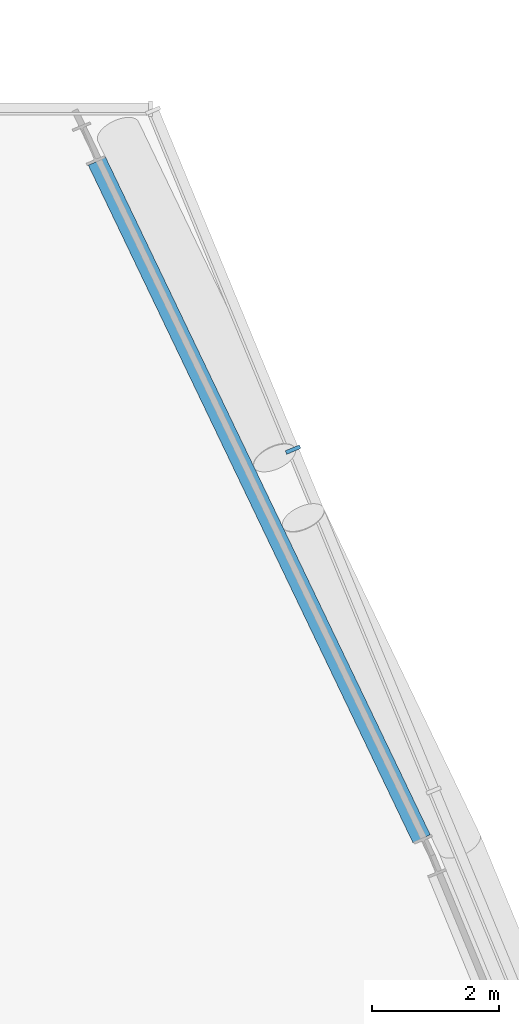
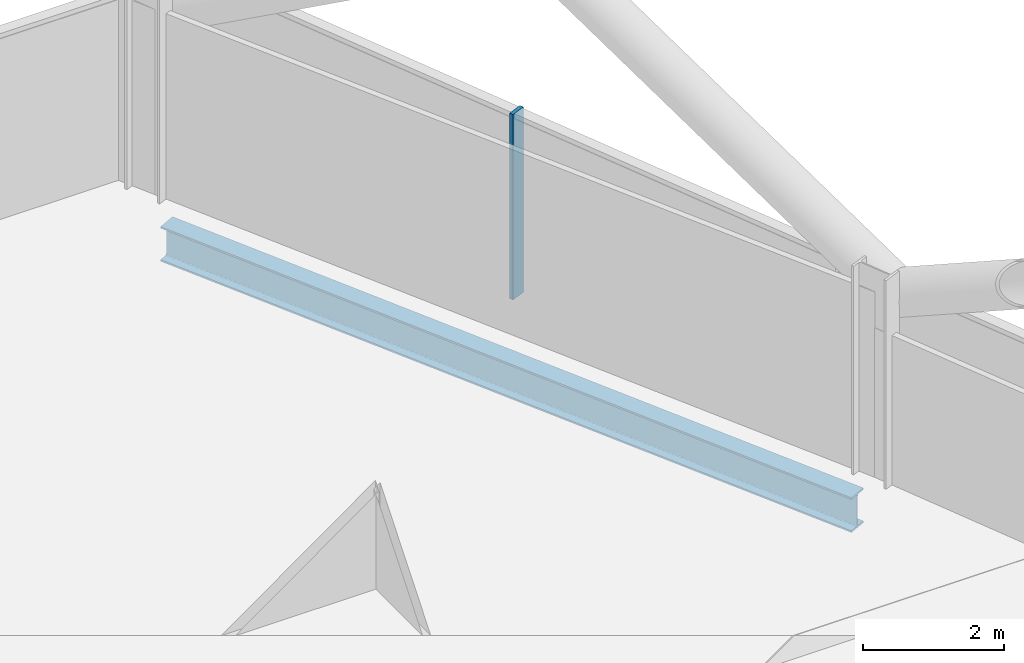
# One storey, part 12 of 26: 1 beam, 1 member, 1 element without a shape of its own.
"""IFC4 building model written with IfcOpenShell, lengths in metres."""

from ifc_helpers import new_model, si_unit, direction, frame, origin, origin_2d, place, context, subcontext, project, spatial, rectangle, i_section, extrude, material, material_profile, profile_set, type_object, element, aggregate, save


model = new_model("IFC4")

# Units and contexts
model_context = context("Model", 3, precision=1e-05, world=origin(), true_north=direction((0.0, 1.0)))
body_context = subcontext(model_context, "Body", "Model", "MODEL_VIEW")
ifc_project = project(units=[si_unit("LENGTHUNIT", "METRE"), si_unit("AREAUNIT", "SQUARE_METRE"), si_unit("VOLUMEUNIT", "CUBIC_METRE"), si_unit("PLANEANGLEUNIT", "RADIAN"), si_unit("MASSUNIT", "GRAM", prefix="KILO")], contexts=[model_context])

# Site, building, storey
site_placement = place(None, origin())
site = spatial("IfcSite", under=ifc_project, at=site_placement, CompositionType="ELEMENT")
building_placement = place(site_placement, origin())
building = spatial("IfcBuilding", under=site, at=building_placement, Name="Wharfspan Tower", CompositionType="ELEMENT")
storey_placement = place(building_placement, frame((0.0, 0.0, 169.899902)))
storey = spatial("IfcBuildingStorey", under=building, at=storey_placement, Name="L41", CompositionType="ELEMENT", Elevation=169.899902)

# Beam
ifc_material_1 = material(Name="Steel S355J2", Category="steel")
ifc_material_profile_1 = material_profile(ifc_material_1, i_section(OverallWidth=0.300049, OverallDepth=0.600098, WebThickness=0.015381, FlangeThickness=0.030029, FilletRadius=0.0271, at=origin_2d()))
ifc_profile_set_1 = profile_set([ifc_material_profile_1], Name="Steel S355J2")
beam_type = type_object("IfcBeamType", Name="Edge beam HEB 600", PredefinedType="SPANDREL", material=ifc_profile_set_1)
beam_placement = place(storey_placement, frame((73.721436, 30.495605, -0.699951), z_axis=(-0.432149, 0.901802, 0.0), x_axis=(-0.901802, -0.432149, 0.0)))
element("IfcBeam", 1, at=beam_placement, inside=storey, type_object=beam_type, Name="Edge beam L41 PE.2 to PE.3", PredefinedType="SPANDREL", context=body_context, shape_type="SweptSolid", body=[
    extrude(i_section(OverallWidth=0.300049, OverallDepth=0.600098, WebThickness=0.015381, FlangeThickness=0.030029, FilletRadius=0.0271, at=origin_2d()), origin(), (0.0, 0.0, 1.0), 11.841309),
])

# Curtain wall, member
ifc_material_2 = material(Name="Aluminium 6063-T6", Category="aluminium")
curtain_wall_type = type_object("IfcCurtainWallType", Name="CURTAIN WALL PROW AND END", PredefinedType="NOTDEFINED", material=ifc_material_2)
curtain_wall_placement = place(storey_placement, origin())
curtain_wall = element("IfcCurtainWall", 2, at=curtain_wall_placement, inside=storey, type_object=curtain_wall_type, Name="Curtain wall E", PredefinedType="NOTDEFINED")
ifc_material_profile_2 = material_profile(ifc_material_2, rectangle(XDim=0.23999, YDim=0.060059, at=origin_2d()))
ifc_profile_set_2 = profile_set([ifc_material_profile_2], Name="Aluminium 6063-T6")
member_type = type_object("IfcMemberType", Name="MULLION PROW AND END 60x240", PredefinedType="MULLION", material=ifc_profile_set_2)
member_placement = place(storey_placement, frame((71.69458, 36.628662, 0.0), z_axis=(0.0, 0.0, 1.0), x_axis=(-0.924325, -0.381602, 0.0)))
member = element("IfcMember", 3, at=member_placement, type_object=member_type, Name="Curtain wall E mullion 7", PredefinedType="MULLION", context=body_context, shape_type="SweptSolid", body=[
    extrude(rectangle(XDim=0.23999, YDim=0.060059, at=origin_2d()), origin(), (0.0, 0.0, 1.0), 3.200195),
])
aggregate(curtain_wall, [member])

save(model, "model.ifc")
